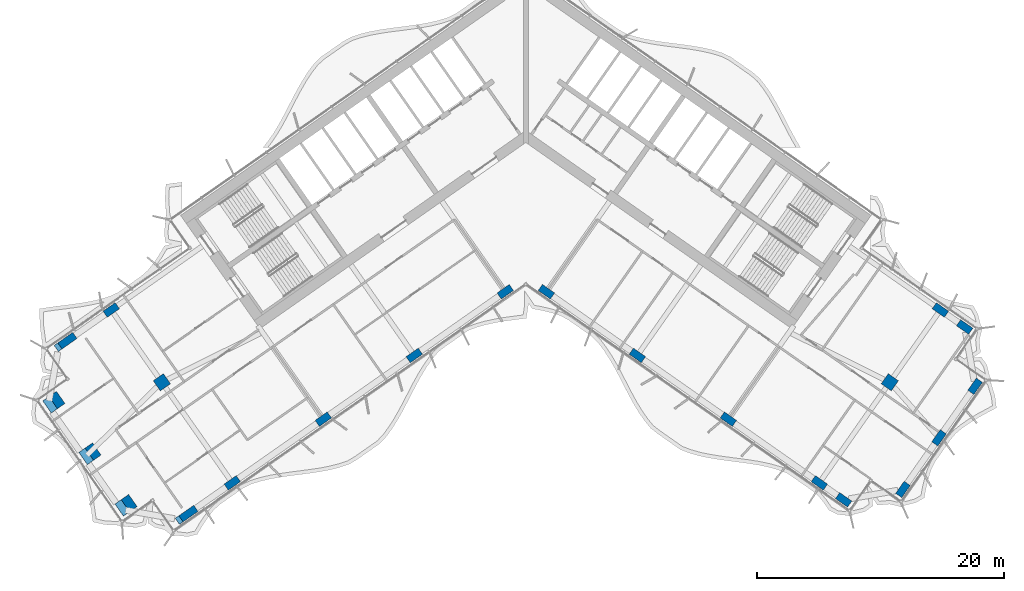
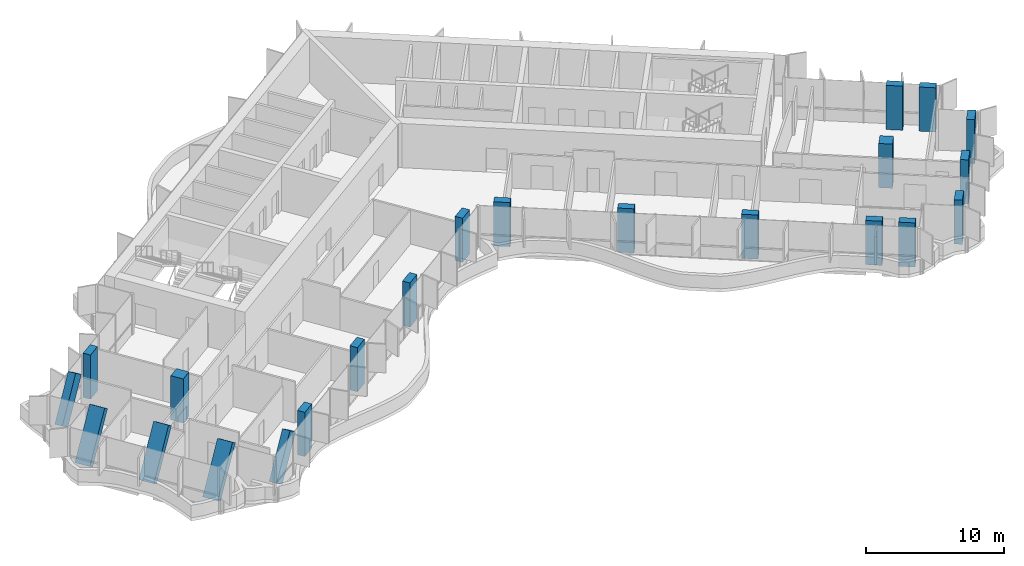
# One storey, part 1 of 21: 22 columns.
"""IFC4 building model written with IfcOpenShell, lengths in metres."""

from ifc_helpers import new_model, si_unit, direction, frame, origin, origin_2d, place, context, subcontext, project, spatial, rectangle, extrude, clip, halfspace, material, material_profile, profile_set, type_object, element, save


model = new_model("IFC4")

# Units and contexts
model_context = context("Model", 3, precision=1e-05, world=origin(), true_north=direction((0.0, 1.0)))
body_context = subcontext(model_context, "Body", "Model", "MODEL_VIEW")
ifc_project = project(units=[si_unit("LENGTHUNIT", "METRE"), si_unit("AREAUNIT", "SQUARE_METRE"), si_unit("VOLUMEUNIT", "CUBIC_METRE"), si_unit("PLANEANGLEUNIT", "RADIAN"), si_unit("MASSUNIT", "GRAM", prefix="KILO")], contexts=[model_context])

# Site, building, storey
site_placement = place(None, origin())
site = spatial("IfcSite", under=ifc_project, at=site_placement, CompositionType="ELEMENT")
building_placement = place(site_placement, origin())
building = spatial("IfcBuilding", under=site, at=building_placement, Name="Tel Ilan Convention Tower", CompositionType="ELEMENT")
storey_placement = place(building_placement, frame((0.0, 0.0, 163.199951171875)))
storey = spatial("IfcBuildingStorey", under=building, at=storey_placement, Name="L37", CompositionType="ELEMENT", Elevation=163.199951171875)

# Columns
ifc_material_1 = material(Name="Concrete C50/60", Category="concrete")
ifc_material_profile_1 = material_profile(ifc_material_1, rectangle(XDim=1.0, YDim=1.0, at=origin_2d()), Name="RC 1000x1000")
ifc_profile_set_1 = profile_set([ifc_material_profile_1], Name="Concrete C50/60")
column_type_1 = type_object("IfcColumnType", Name="Column RC 1000x1000 C50/60", PredefinedType="COLUMN", material=ifc_profile_set_1)
for number, where, z_axis, x_axis, name in (
    (1, (-29.489501953125, -20.648681640625, 0.0), (0.0, 0.0, 1.0), (-0.819152044289, -0.573576436351, 0.0), "L37 column W-M4"),
    (2, (29.489501953125, -20.648681640625, 0.0), (0.0, 0.0, 1.0), (0.819152044289, -0.573576436351, 0.0), "L37 column E-M4"),
):
    element("IfcColumn", number, at=place(storey_placement, frame(where, z_axis=z_axis, x_axis=x_axis)), inside=storey, type_object=column_type_1, Name=name, PredefinedType="COLUMN", context=body_context, shape_type="SweptSolid", body=[
        extrude(rectangle(XDim=1.0, YDim=1.0, at=origin_2d()), origin(), (0.0, 0.0, 1.0), 3.900146484375),
    ])
ifc_material_2 = material(Name="Concrete C50/60", Category="concrete")
ifc_material_profile_2 = material_profile(ifc_material_2, rectangle(XDim=1.199951171875, YDim=0.60009765625, at=origin_2d()), Name="RC 600x1200")
ifc_profile_set_2 = profile_set([ifc_material_profile_2], Name="Concrete C50/60")
column_type_2 = type_object("IfcColumnType", Name="Column RC 600x1200 C50/60", PredefinedType="COLUMN", material=ifc_profile_set_2)
for number, where, z_axis, x_axis, name in (
    (3, (-1.665283203125, -13.312744140625, 0.0), (0.0, 0.0, 1.0), (-0.819152044289, -0.573576436351, 0.0), "L37 column W-F1"),
    (4, (-9.03759765625, -18.474853515625, 0.0), (0.0, 0.0, 1.0), (-0.819152044289, -0.573576436351, 0.0), "L37 column W-F2"),
    (5, (-16.409912109375, -23.63720703125, 0.0), (0.0, 0.0, 1.0), (-0.819152044289, -0.573576436351, 0.0), "L37 column W-F3"),
    (6, (-23.782470703125, -28.79931640625, 0.0), (0.0, 0.0, 1.0), (-0.819152044289, -0.573576436351, 0.0), "L37 column W-F4"),
):
    element("IfcColumn", number, at=place(storey_placement, frame(where, z_axis=z_axis, x_axis=x_axis)), inside=storey, type_object=column_type_2, Name=name, PredefinedType="COLUMN", context=body_context, shape_type="SweptSolid", body=[
        extrude(rectangle(XDim=1.199951171875, YDim=0.60009765625, at=origin_2d()), origin(), (0.0, 0.0, 1.0), 3.900146484375),
    ])
column_1_placement = place(storey_placement, frame((-28.0419921875, -31.78173828125, 0.0), z_axis=(0.477746603964, 0.334466003579, 0.812336552699), x_axis=(-0.665463644855, -0.465884977465, 0.583188927492)))
element("IfcColumn", 7, at=column_1_placement, inside=storey, type_object=column_type_2, Name="L37 column W-FC", PredefinedType="COLUMN", context=body_context, shape_type="Clipping", body=[
    clip(clip(extrude(rectangle(XDim=1.199951171875, YDim=0.60009765625, at=origin_2d()), origin(), (0.0, 0.0, 1.0), 4.801025390625), halfspace(frame((0.0, 0.0, 0.430908203125), z_axis=(0.0, 0.0, 1.0), x_axis=(1.0, 0.0, 0.0)), True)), halfspace(frame((0.0, 0.0, 4.370361328125), z_axis=(0.0, 0.0, 1.0), x_axis=(1.0, 0.0, 0.0)), False)),
])
column_2_placement = place(storey_placement, frame((-33.590576171875, -14.791748046875, 0.0), z_axis=(0.0, 0.0, 1.0), x_axis=(-0.819152044289, -0.573576436351, 0.0)))
element("IfcColumn", 8, at=column_2_placement, inside=storey, type_object=column_type_2, Name="L37 column W-B4", PredefinedType="COLUMN", context=body_context, shape_type="SweptSolid", body=[
    extrude(rectangle(XDim=1.199951171875, YDim=0.60009765625, at=origin_2d()), origin(), (0.0, 0.0, 1.0), 3.900146484375),
])
column_3_placement = place(storey_placement, frame((-37.85009765625, -17.7744140625, 0.0), z_axis=(0.477736700756, 0.334521041728, 0.812319713778), x_axis=(-0.665409295045, -0.465933243566, 0.583212382077)))
element("IfcColumn", 9, at=column_3_placement, inside=storey, type_object=column_type_2, Name="L37 column W-BC", PredefinedType="COLUMN", context=body_context, shape_type="Clipping", body=[
    clip(clip(extrude(rectangle(XDim=1.199951171875, YDim=0.60009765625, at=origin_2d()), origin(), (0.0, 0.0, 1.0), 4.80126953125), halfspace(frame((0.0, 0.0, 0.430908203125), z_axis=(0.0, 0.0, 1.0), x_axis=(1.0, 0.0, 0.0)), True)), halfspace(frame((0.0, 0.0, 4.370361328125), z_axis=(0.0, 0.0, 1.0), x_axis=(1.0, 0.0, 0.0)), False)),
])
column_4_placement = place(storey_placement, frame((-32.8466796875, -30.9345703125, 0.0), z_axis=(0.477704706914, 0.334521785172, 0.812338222809), x_axis=(-0.573610203854, 0.819128398991, 0.0)))
element("IfcColumn", 10, at=column_4_placement, inside=storey, type_object=column_type_2, Name="L37 column W-E1", PredefinedType="COLUMN", context=body_context, shape_type="Clipping", body=[
    clip(clip(extrude(rectangle(XDim=1.199951171875, YDim=0.60009765625, at=origin_2d()), origin(), (0.0, 0.0, 1.0), 4.801025390625), halfspace(frame((0.0, 0.0, 0.21533203125), z_axis=(0.0, 0.0, 1.0), x_axis=(1.0, 0.0, 0.0)), True)), halfspace(frame((0.0, 0.0, 4.58544921875), z_axis=(0.0, 0.0, 1.0), x_axis=(1.0, 0.0, 0.0)), False)),
])
column_5_placement = place(storey_placement, frame((-35.77197265625, -26.757080078125, 0.0), z_axis=(0.477738893719, 0.334562468952, 0.812301362671), x_axis=(-0.573629466203, 0.819114909829, 0.0)))
element("IfcColumn", 11, at=column_5_placement, inside=storey, type_object=column_type_2, Name="L37 column W-E2", PredefinedType="COLUMN", context=body_context, shape_type="Clipping", body=[
    clip(clip(extrude(rectangle(XDim=1.199951171875, YDim=0.60009765625, at=origin_2d()), origin(), (0.0, 0.0, 1.0), 4.80126953125), halfspace(frame((0.0, 0.0, 0.21533203125), z_axis=(0.0, 0.0, 1.0), x_axis=(1.0, 0.0, 0.0)), True)), halfspace(frame((0.0, 0.0, 4.585693359375), z_axis=(0.0, 0.0, 1.0), x_axis=(1.0, 0.0, 0.0)), False)),
])
column_6_placement = place(storey_placement, frame((-38.697509765625, -22.579345703125, 0.0), z_axis=(0.477747821975, 0.334512857575, 0.812316543421), x_axis=(-0.573565197047, 0.819159914019, 0.0)))
element("IfcColumn", 12, at=column_6_placement, inside=storey, type_object=column_type_2, Name="L37 column W-E3", PredefinedType="COLUMN", context=body_context, shape_type="Clipping", body=[
    clip(clip(extrude(rectangle(XDim=1.199951171875, YDim=0.60009765625, at=origin_2d()), origin(), (0.0, 0.0, 1.0), 4.801025390625), halfspace(frame((0.0, 0.0, 0.21533203125), z_axis=(0.0, 0.0, 1.0), x_axis=(1.0, 0.0, 0.0)), True)), halfspace(frame((0.0, 0.0, 4.585693359375), z_axis=(0.0, 0.0, 1.0), x_axis=(1.0, 0.0, 0.0)), False)),
])
for number, where, z_axis, x_axis, name in (
    (13, (1.665283203125, -13.312744140625, 0.0), (0.0, 0.0, 1.0), (0.819152044289, -0.573576436351, 0.0), "L37 column E-F1"),
    (14, (9.03759765625, -18.474853515625, 0.0), (0.0, 0.0, 1.0), (0.819152044289, -0.573576436351, 0.0), "L37 column E-F2"),
    (15, (16.409912109375, -23.63720703125, 0.0), (0.0, 0.0, 1.0), (0.819152044289, -0.573576436351, 0.0), "L37 column E-F3"),
    (16, (23.782470703125, -28.79931640625, 0.0), (0.0, 0.0, 1.0), (0.819152044289, -0.573576436351, 0.0), "L37 column E-F4"),
    (17, (25.748291015625, -30.17578125, 0.0), (0.0, 0.0, 1.0), (0.819152044289, -0.573576436351, 0.0), "L37 column E-FC"),
    (18, (33.590576171875, -14.791748046875, 0.0), (0.0, 0.0, 1.0), (0.819152044289, -0.573576436351, 0.0), "L37 column E-B4"),
    (19, (35.556396484375, -16.16845703125, 0.0), (0.0, 0.0, 1.0), (0.819152044289, -0.573576436351, 0.0), "L37 column E-BC"),
    (20, (30.55322265625, -29.32861328125, 0.0), (0.0, 0.0, 1.0), (0.573576436351, 0.819152044289, 0.0), "L37 column E-E1"),
    (21, (33.478515625, -25.15087890625, 0.0), (0.0, 0.0, 1.0), (0.573576436351, 0.819152044289, 0.0), "L37 column E-E2"),
    (22, (36.40380859375, -20.973388671875, 0.0), (0.0, 0.0, 1.0), (0.573576436351, 0.819152044289, 0.0), "L37 column E-E3"),
):
    element("IfcColumn", number, at=place(storey_placement, frame(where, z_axis=z_axis, x_axis=x_axis)), inside=storey, type_object=column_type_2, Name=name, PredefinedType="COLUMN", context=body_context, shape_type="SweptSolid", body=[
        extrude(rectangle(XDim=1.199951171875, YDim=0.60009765625, at=origin_2d()), origin(), (0.0, 0.0, 1.0), 3.900146484375),
    ])

save(model, "model.ifc")
